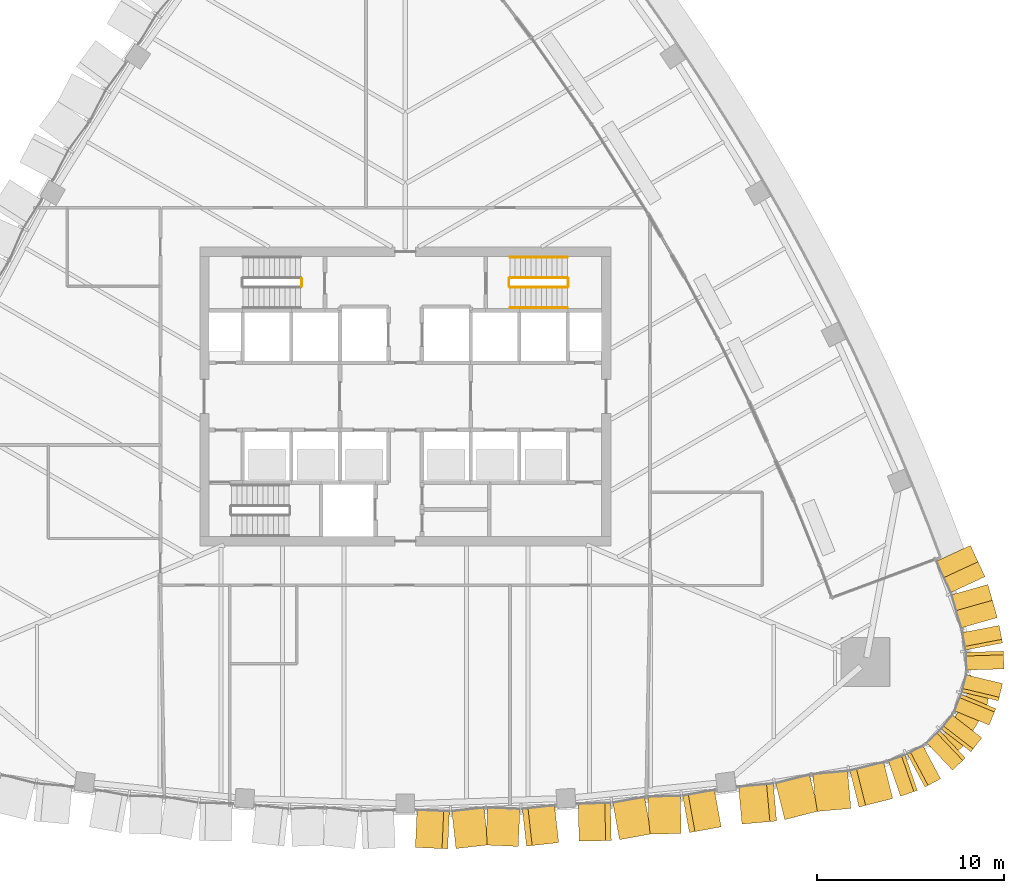
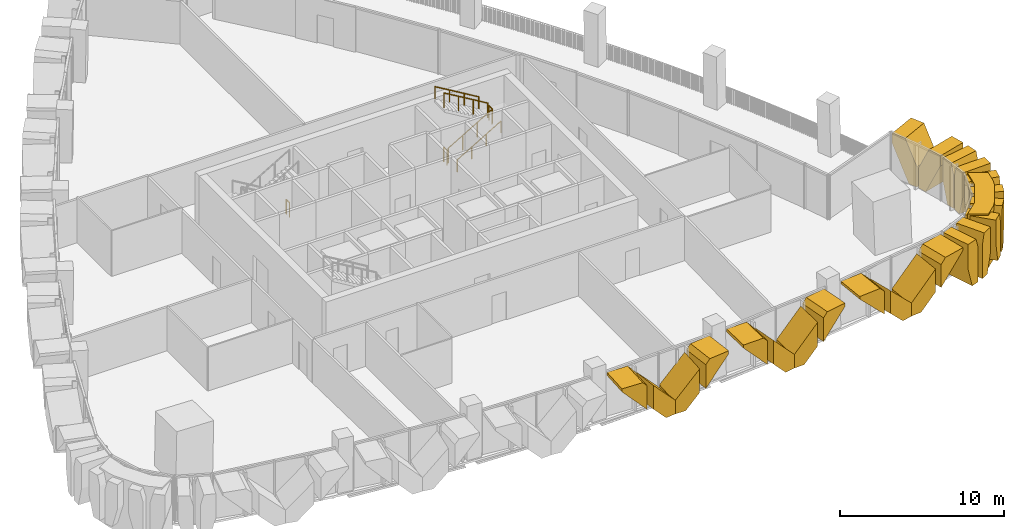
# One storey, part 19 of 22: 23 coverings, 7 railings.
"""IFC4 building model written with IfcOpenShell, lengths in metres."""

import ifcopenshell
import ifcopenshell.guid

model = None  # the IFC model being written
_history = None  # IfcOwnerHistory: only IFC2X3 demands one
_inside = {}  # id of a spatial element -> (the spatial element, [elements in it])
_under = {}  # id of a project, library or spatial element -> (it, [spatial elements below it])
_declared = {}  # id of a project -> (the project, [libraries it declares])
_typed = {}  # id of a type object -> (the type object, [elements of that type])
_made_of = {}  # id of a material, layer set ... -> (it, [elements and type objects made of it])


def new_model(schema):
    """Start an empty IFC model of exactly this schema.

    Asked for "IFC4X3", IfcOpenShell would pick the latest addendum, in which some entities
    have other attributes; the version numbers below select the first issue.
    IFC2X3 requires an IfcOwnerHistory on every rooted entity: one is made here for all.
    """
    global model, _history
    if schema == "IFC4X3":
        model = ifcopenshell.file(schema_version=(4, 3, 0, 0))
    else:
        model = ifcopenshell.file(schema=schema)
    _inside.clear()
    _under.clear()
    _declared.clear()
    _typed.clear()
    _made_of.clear()
    _history = None
    if model.schema == "IFC2X3":
        org = make("IfcOrganization", Name="unknown")
        user = make(
            "IfcPersonAndOrganization",
            ThePerson=make("IfcPerson", FamilyName="unknown"),
            TheOrganization=org,
        )
        app = make(
            "IfcApplication",
            ApplicationDeveloper=org,
            Version="unknown",
            ApplicationFullName="unknown",
            ApplicationIdentifier="unknown",
        )
        _history = make(
            "IfcOwnerHistory",
            OwningUser=user,
            OwningApplication=app,
            ChangeAction="ADDED",
            CreationDate=0,
        )
    return model


def make(cls, **values):
    """One entity of the class cls with the attributes given. An attribute that is None is left unset."""
    return model.create_entity(
        cls, **{name: value for name, value in values.items() if value is not None}
    )


def rooted(cls, **values):
    """An entity with a GlobalId (a new one), such as an element, a storey or a relation."""
    return make(cls, GlobalId=ifcopenshell.guid.new(), OwnerHistory=_history, **values)


def si_unit(unit_type, name, prefix=None):
    """IfcSIUnit, for example si_unit("LENGTHUNIT", "METRE", prefix="MILLI")."""
    return make("IfcSIUnit", UnitType=unit_type, Prefix=prefix, Name=name)


def assignment(units):
    """IfcUnitAssignment: the units of a project."""
    return None if units is None else make("IfcUnitAssignment", Units=units)


def point(xyz):
    """IfcCartesianPoint."""
    return None if xyz is None else make("IfcCartesianPoint", Coordinates=xyz)


def direction(xyz):
    """IfcDirection."""
    return None if xyz is None else make("IfcDirection", DirectionRatios=xyz)


def frame(location, z_axis=None, x_axis=None):
    """IfcAxis2Placement3D, a coordinate frame: its origin and axes. An axis left out is left unset."""
    return make(
        "IfcAxis2Placement3D",
        Location=point(location),
        Axis=direction(z_axis),
        RefDirection=direction(x_axis),
    )


def frame_2d(location, x_axis=None):
    """IfcAxis2Placement2D, a coordinate frame in the plane: its origin and x axis."""
    return make(
        "IfcAxis2Placement2D", Location=point(location), RefDirection=direction(x_axis)
    )


def origin():
    """The frame at (0, 0, 0) with its axes left unset."""
    return frame((0.0, 0.0, 0.0))


def origin_2d():
    """The frame at (0, 0) in the plane with its x axis left unset."""
    return frame_2d((0.0, 0.0))


def place(relative_to, where):
    """IfcLocalPlacement: puts the frame where relative to a parent placement (None: the world)."""
    return make(
        "IfcLocalPlacement", PlacementRelTo=relative_to, RelativePlacement=where
    )


def context(
    kind, dimensions, precision=None, world=None, true_north=None, identifier=None
):
    """IfcGeometricRepresentationContext, for example the 3D "Model" context."""
    return make(
        "IfcGeometricRepresentationContext",
        ContextIdentifier=identifier,
        ContextType=kind,
        CoordinateSpaceDimension=dimensions,
        Precision=precision,
        WorldCoordinateSystem=world,
        TrueNorth=true_north,
    )


def subcontext(parent, identifier, kind, view, scale=None):
    """IfcGeometricRepresentationSubContext, for example "Body" below "Model"."""
    return make(
        "IfcGeometricRepresentationSubContext",
        ContextIdentifier=identifier,
        ContextType=kind,
        ParentContext=parent,
        TargetScale=scale,
        TargetView=view,
    )


def project(units=None, contexts=None):
    """IfcProject with its units and contexts."""
    return rooted(
        "IfcProject",
        Name="project",
        RepresentationContexts=contexts,
        UnitsInContext=assignment(units),
    )


def spatial(cls, under=None, at=None, **own):
    """A site, building, storey or space (cls), placed at a placement, below another one or the project."""
    s = rooted(cls, ObjectPlacement=at, **own)
    if under is not None:
        _under.setdefault(under.id(), (under, []))[1].append(s)
    return s


def polyline(points):
    """IfcPolyline through the points."""
    return make("IfcPolyline", Points=[point(p) for p in points])


def profile(cls, at=None, kind="AREA", **sizes):
    """A parametric profile (cls). Its sizes go by their IFC names, for example OverallWidth=200.0."""
    return make(cls, ProfileType=kind, Position=at, **sizes)


def circle(**sizes):
    """IfcCircleProfileDef."""
    return profile("IfcCircleProfileDef", **sizes)


def outline(outer, holes=None, kind="AREA"):
    """IfcArbitraryClosedProfileDef: a profile drawn as a closed curve; with holes, ...WithVoids."""
    if holes is None:
        return make("IfcArbitraryClosedProfileDef", ProfileType=kind, OuterCurve=outer)
    return make(
        "IfcArbitraryProfileDefWithVoids",
        ProfileType=kind,
        OuterCurve=outer,
        InnerCurves=holes,
    )


def extrude(swept, where, along, depth):
    """IfcExtrudedAreaSolid: the profile swept, set in the frame where, extruded along a direction by depth."""
    return make(
        "IfcExtrudedAreaSolid",
        SweptArea=swept,
        Position=where,
        ExtrudedDirection=direction(along),
        Depth=depth,
    )


def shape(context_of_items, identifier, shape_type, items):
    """IfcShapeRepresentation: the items that make up one representation, for example the "Body"."""
    return make(
        "IfcShapeRepresentation",
        ContextOfItems=context_of_items,
        RepresentationIdentifier=identifier,
        RepresentationType=shape_type,
        Items=items,
    )


def material(Name=None, Category=None):
    """IfcMaterial."""
    return make("IfcMaterial", Name=Name, Category=Category)


def layer(
    of_material, thickness, ventilated=None, Name=None, Category=None, Priority=None
):
    """IfcMaterialLayer: one layer of a wall or slab, of a material (None: an air gap)."""
    return make(
        "IfcMaterialLayer",
        Material=of_material,
        LayerThickness=thickness,
        IsVentilated=ventilated,
        Name=Name,
        Category=Category,
        Priority=Priority,
    )


def layer_set(layers, Name=None):
    """IfcMaterialLayerSet."""
    return make("IfcMaterialLayerSet", MaterialLayers=layers, LayerSetName=Name)


def made_of(thing, what):
    """Note that an element or type object is made of a material, layer set ...; save() writes the relation."""
    if what is not None:
        _made_of.setdefault(what.id(), (what, []))[1].append(thing)
    return thing


def type_object(cls, material=None, **own):
    """A type object (cls), such as IfcWallType, which elements share."""
    return made_of(rooted(cls, **own), material)


def element(
    cls,
    number,
    at=None,
    inside=None,
    cuts=None,
    type_object=None,
    material=None,
    context=None,
    identifier="Body",
    shape_type=None,
    held_by="IfcProductDefinitionShape",
    body=None,
    shapes=None,
    **own,
):
    """One element of the class cls, such as IfcWall. Its Tag is "e" and its number.

    at: its placement. inside: the storey or other place that contains it. cuts: it is an
    opening in that element (IfcRelVoidsElement). A single representation is given by context,
    identifier, shape_type and body (its items); several are given by shapes. held_by: the class
    of the entity that holds the representations. save() writes the other relations.
    """
    e = rooted(cls, Tag="e%d" % number, ObjectPlacement=at, **own)
    if body is not None:
        shapes = [shape(context, identifier, shape_type, body)]
    if shapes is not None:
        e.Representation = make(held_by, Representations=shapes)
    if inside is not None:
        _inside.setdefault(inside.id(), (inside, []))[1].append(e)
    if cuts is not None:
        rooted(
            "IfcRelVoidsElement", RelatingBuildingElement=cuts, RelatedOpeningElement=e
        )
    if type_object is not None:
        _typed.setdefault(type_object.id(), (type_object, []))[1].append(e)
    return made_of(e, material)


def aggregate(whole, parts):
    """IfcRelAggregates: a whole, such as a stair, and the parts it consists of."""
    return rooted("IfcRelAggregates", RelatingObject=whole, RelatedObjects=parts)


def save(model, path):
    """Write the relations noted so far, then the file.

    IfcRelAggregates (storeys below a building ...), IfcRelContainedInSpatialStructure (elements
    in a storey), IfcRelDefinesByType, IfcRelAssociatesMaterial and IfcRelDeclares: one each for
    every whole, place, type object, material and project.
    """
    for whole, parts in _under.values():
        aggregate(whole, parts)
    for where, things in _inside.values():
        rooted(
            "IfcRelContainedInSpatialStructure",
            RelatedElements=things,
            RelatingStructure=where,
        )
    for kind, things in _typed.values():
        rooted("IfcRelDefinesByType", RelatedObjects=things, RelatingType=kind)
    for what, things in _made_of.values():
        rooted("IfcRelAssociatesMaterial", RelatedObjects=things, RelatingMaterial=what)
    for by, libraries in _declared.values():
        rooted("IfcRelDeclares", RelatingContext=by, RelatedDefinitions=libraries)
    model.write(path)


model = new_model("IFC4")

# Units and contexts
model_context = context("Model", 3, precision=1e-05, world=origin(), true_north=direction((0.0, 1.0)))
body_context = subcontext(model_context, "Body", "Model", "MODEL_VIEW")
ifc_project = project(units=[si_unit("LENGTHUNIT", "METRE"), si_unit("AREAUNIT", "SQUARE_METRE"), si_unit("VOLUMEUNIT", "CUBIC_METRE"), si_unit("PLANEANGLEUNIT", "RADIAN"), si_unit("MASSUNIT", "GRAM", prefix="KILO")], contexts=[model_context])

# Site, building, storey
site_placement = place(None, origin())
site = spatial("IfcSite", under=ifc_project, at=site_placement, CompositionType="ELEMENT")
building_placement = place(site_placement, origin())
building = spatial("IfcBuilding", under=site, at=building_placement, Name="Sierra Prisma Convention Tower", CompositionType="ELEMENT")
storey_placement = place(building_placement, frame((0.0, 0.0, 141.800048828125)))
storey = spatial("IfcBuildingStorey", under=building, at=storey_placement, Name="L30", CompositionType="ELEMENT", Elevation=141.800048828125)

# Coverings
ifc_material_1 = material(Name="Aluminium composite bronze anodised", Category="aluminium")
ifc_layer_1 = layer(ifc_material_1, 1.199951171875)
ifc_layer_set_1 = layer_set([ifc_layer_1], Name="Bronze corner pier")
covering_type_1 = type_object("IfcCoveringType", Name="Bronze corner pier", PredefinedType="CLADDING", material=ifc_layer_set_1)
covering_1_placement = place(storey_placement, frame((0.0, 0.0, -0.60009765625)))
element("IfcCovering", 1, at=covering_1_placement, inside=storey, type_object=covering_type_1, Name="Corner pier SE L30.1", PredefinedType="CLADDING", context=body_context, shape_type="SweptSolid", body=[
    extrude(outline(polyline([(31.017333984375, -16.80224609375), (30.059814453125, -18.460693359375), (29.8017578125, -18.771484375), (29.122314453125, -19.35400390625), (28.0205078125, -18.718017578125), (29.0205078125, -17.860595703125), (29.97802734375, -16.202392578125), (30.220703125, -14.907470703125), (31.322265625, -15.543701171875), (31.157470703125, -16.42333984375), (31.017333984375, -16.80224609375)])), origin(), (0.0, 0.0, 1.0), 4.0),
])
ifc_material_2 = material(Name="Aluminium 6063-T6 bronze anodised", Category="aluminium")
ifc_layer_2 = layer(ifc_material_2, 2.0)
ifc_layer_set_2 = layer_set([ifc_layer_2], Name="Bronze crystal chevron frame")
covering_type_2 = type_object("IfcCoveringType", Name="Bronze crystal chevron frame", PredefinedType="CLADDING", material=ifc_layer_set_2)
covering_2_placement = place(storey_placement, frame((0.53955078125, -24.134521484375, 3.280029296875), z_axis=(-0.044926464016, -0.998990296409, -2.2608598e-05), x_axis=(1.015724e-06, 2.258577e-05, -0.999999999744)))
element("IfcCovering", 2, at=covering_2_placement, inside=storey, type_object=covering_type_2, Name="CW-2 chevron frame S4.1.1", PredefinedType="CLADDING", context=body_context, shape_type="SweptSolid", body=[
    extrude(outline(polyline([(0.0, 0.0), (0.22607421869222122, 0.0), (2.091552734008423, 1.7336837662508067), (0.32861328133398515, 1.7336837662508067), (-1.0166817590356698e-09, 1.4282018930046483), (0.0, 0.0)])), origin(), (0.0, 0.0, -1.0), 2.0),
])
covering_3_placement = place(storey_placement, frame((2.714599609375, -24.197509765625, 2.8115234375), z_axis=(0.111835817419, -0.993726697567, 2.2009276e-05), x_axis=(2.461425e-06, -2.1871205e-05, -0.999999999758)))
element("IfcCovering", 3, at=covering_3_placement, inside=storey, type_object=covering_type_2, Name="CW-2 chevron frame S4.1.2", PredefinedType="CLADDING", context=body_context, shape_type="SweptSolid", body=[
    extrude(outline(polyline([(0.0, 0.0), (1.7629394526980087, 0.0), (2.811523438639234, 0.974364955587654), (2.8115234373269797, 1.733528617867343), (1.8654785156811162, 1.733528617867343), (0.0, 0.0)])), origin(), (0.0, 0.0, -1.0), 2.0),
])
covering_4_placement = place(storey_placement, frame((4.313232421875, -24.0078125, 0.0), z_axis=(-0.044942972063, -0.998989553844, 2.394253e-05), x_axis=(0.99898955413, -0.044942972076, -2.046e-09)))
element("IfcCovering", 4, at=covering_4_placement, inside=storey, type_object=covering_type_2, Name="CW-2 chevron frame S4.2.1", PredefinedType="CLADDING", context=body_context, shape_type="SweptSolid", body=[
    extrude(outline(polyline([(0.0, 0.0), (0.7590706960982925, 1.0587911840678754e-22), (1.7334398698120177, 1.0485839882218286), (1.7334398662053865, 2.811523440841531), (-1.9354239337758146e-09, 0.9460449216038425), (0.0, 0.0)])), origin(), (0.0, 0.0, -1.0), 2.0),
])
covering_5_placement = place(storey_placement, frame((8.210693359375, -23.876953125, 3.280029296875), z_axis=(0.111962646867, -0.993712415983, -5.249322e-06), x_axis=(-0.993712415997, -0.111962646869, 3.8e-11)))
element("IfcCovering", 5, at=covering_5_placement, inside=storey, type_object=covering_type_2, Name="CW-2 chevron frame S4.2.2", PredefinedType="CLADDING", context=body_context, shape_type="SweptSolid", body=[
    extrude(outline(polyline([(0.0, 0.0), (1.428170363253973, 0.0), (1.7335559354204668, 0.32861328132105516), (1.7335559353528116, 2.091552734421766), (-8.675915155104874e-12, 0.22607421874688524), (0.0, 0.0)])), origin(), (0.0, 0.0, -1.0), 2.0),
])
covering_6_placement = place(storey_placement, frame((9.30029296875, -23.80419921875, 3.280029296875), z_axis=(0.022057660092, -0.999756697272, -7.6752855e-05), x_axis=(-1.692988e-06, 7.6734181e-05, -0.999999997054)))
element("IfcCovering", 6, at=covering_6_placement, inside=storey, type_object=covering_type_2, Name="CW-2 chevron frame S5.1.1", PredefinedType="CLADDING", context=body_context, shape_type="SweptSolid", body=[
    extrude(outline(polyline([(0.0, 0.0), (0.22851562432690717, -4.839006583435212e-23), (2.093261714507214, 1.7255180270303836), (0.3264160165864585, 1.7255180270303836), (-1.1754675094615328e-08, 1.423682847354512), (0.0, 0.0)])), origin(), (0.0, 0.0, -1.0), 2.0),
])
covering_7_placement = place(storey_placement, frame((11.466552734375, -23.7216796875, 2.813232421875), z_axis=(0.178117474934, -0.984009228625, -5.5705518e-05), x_axis=(-9.922126e-06, 5.4814744e-05, -0.999999998448)))
element("IfcCovering", 7, at=covering_7_placement, inside=storey, type_object=covering_type_2, Name="CW-2 chevron frame S5.1.2", PredefinedType="CLADDING", context=body_context, shape_type="SweptSolid", body=[
    extrude(outline(polyline([(0.0, 0.0), (1.7670898410082676, 0.0), (2.8132324291823725, 0.9679074857903761), (2.8132324207564126, 1.7253540253340103), (1.8649902347276601, 1.7253540253340103), (0.0, 0.0)])), origin(), (0.0, 0.0, -1.0), 2.0),
])
covering_8_placement = place(storey_placement, frame((13.798095703125, -23.409912109375, 0.0), z_axis=(0.022096196196, -0.999755848467, -3.9628929e-05), x_axis=(0.678999525175, 0.014977876522, 0.733985904515)))
element("IfcCovering", 8, at=covering_8_placement, inside=storey, type_object=covering_type_2, Name="CW-2 chevron frame S5.2.1", PredefinedType="CLADDING", context=body_context, shape_type="SweptSolid", body=[
    extrude(outline(polyline([(0.0, 0.0), (1.4252897446042003, 1.1102230246251565e-16), (2.7223087819283527, 1.2001450444838844), (0.1815213018952233, 1.2000154199960176), (-0.5144750977962672, 0.5560027987228195), (0.0, 0.0)])), origin(), (0.0, 0.0, -1.0), 2.0),
])
covering_9_placement = place(storey_placement, frame((16.90478515625, -23.03662109375, 3.280029296875), z_axis=(0.178157307976, -0.984002018473, -3.5436356e-05), x_axis=(-0.984002019091, -0.178157308088, 1.76e-09)))
element("IfcCovering", 9, at=covering_9_placement, inside=storey, type_object=covering_type_2, Name="CW-2 chevron frame S5.2.2", PredefinedType="CLADDING", context=body_context, shape_type="SweptSolid", body=[
    extrude(outline(polyline([(0.0, 0.0), (1.4234191959539906, 0.0), (1.7253540257048166, 0.3264160188670878), (1.725354022594637, 2.093261720882743), (-4.0225619214563403e-10, 0.22851562485652246), (0.0, 0.0)])), origin(), (0.0, 0.0, -1.0), 2.0),
])
covering_10_placement = place(storey_placement, frame((18.01904296875, -22.8876953125, 3.280029296875), z_axis=(0.089015023815, -0.996030282695, -3.8592758e-05), x_axis=(-3.435335e-06, 3.8439556e-05, -0.999999999255)))
element("IfcCovering", 10, at=covering_10_placement, inside=storey, type_object=covering_type_2, Name="CW-2 chevron frame S6.1.1", PredefinedType="CLADDING", context=body_context, shape_type="SweptSolid", body=[
    extrude(outline(polyline([(0.0, 0.0), (0.1916503904822779, 0.0), (2.065917967752582, 1.862129703243557), (0.36328125027053576, 1.862129703243557), (-2.8213530987192077e-09, 1.5010695004469505), (0.0, 0.0)])), origin(), (0.0, 0.0, -1.0), 2.0),
])
covering_11_placement = place(storey_placement, frame((20.31103515625, -22.64794921875, 2.785888671875), z_axis=(0.243755330819, -0.969836758335, 2.9670571e-05), x_axis=(7.23236e-06, -2.8775611e-05, -0.99999999956)))
element("IfcCovering", 11, at=covering_11_placement, inside=storey, type_object=covering_type_2, Name="CW-2 chevron frame S6.1.2", PredefinedType="CLADDING", context=body_context, shape_type="SweptSolid", body=[
    extrude(outline(polyline([(0.0, 0.0), (1.7026367180005482, -1.4421893979862038e-21), (2.785888673903808, 1.076134123320375), (2.7858886716023648, 1.8620663244020512), (1.874267578253634, 1.8620663244020512), (0.0, 0.0)])), origin(), (0.0, 0.0, -1.0), 2.0),
])
covering_12_placement = place(storey_placement, frame((21.994384765625, -22.21484375, 0.0), z_axis=(0.088997571966, -0.996031842026, 4.3062094e-05), x_axis=(0.99603184295, 0.088997572048, -6.169e-09)))
element("IfcCovering", 12, at=covering_12_placement, inside=storey, type_object=covering_type_2, Name="CW-2 chevron frame S6.2.1", PredefinedType="CLADDING", context=body_context, shape_type="SweptSolid", body=[
    extrude(outline(polyline([(0.0, 0.0), (0.785823094263213, -8.470329472543003e-22), (1.862129696029503, 1.0832519656168162), (1.8621296855259577, 2.785888682788179), (-5.623779474474453e-09, 0.9116210929047703), (0.0, 0.0)])), origin(), (0.0, 0.0, -1.0), 2.0),
])
covering_13_placement = place(storey_placement, frame((26.09228515625, -21.521240234375, 3.280029296875), z_axis=(0.243746582465, -0.969838956607, -4.223801e-05), x_axis=(-0.969838957472, -0.243746582682, 2.251e-09)))
element("IfcCovering", 13, at=covering_13_placement, inside=storey, type_object=covering_type_2, Name="CW-2 chevron frame S6.2.2", PredefinedType="CLADDING", context=body_context, shape_type="SweptSolid", body=[
    extrude(outline(polyline([(0.0, 0.0), (1.5011049391717046, 3.3881317890172014e-21), (1.8620663237983448, 0.3632812545162057), (1.8620663199651257, 2.065917971747412), (-4.314707404887381e-10, 0.19165039045404314), (0.0, 0.0)])), origin(), (0.0, 0.0, -1.0), 2.0),
])
covering_14_placement = place(storey_placement, frame((26.5087890625, -21.396728515625, 3.280029296875), z_axis=(0.3278332667, -0.944735597324, -1.9843614e-05), x_axis=(-6.505397e-06, 1.8746969e-05, -0.999999999803)))
element("IfcCovering", 14, at=covering_14_placement, inside=storey, type_object=covering_type_2, Name="CW-2 chevron frame SE1.1.1", PredefinedType="CLADDING", context=body_context, shape_type="SweptSolid", body=[
    extrude(outline(polyline([(0.0, 0.0), (1.8164062496423778, 3.077111878697263e-21), (3.280029297130299, 0.39307588102156177), (3.280029296609346, 0.9494497071231347), (0.7250976564873723, 0.9494497071231347), (-1.2401225697174795e-09, 0.7545710556546741), (0.0, 0.0)])), origin(), (0.0, 0.0, -1.0), 2.0),
])
covering_15_placement = place(storey_placement, frame((27.81201171875, -20.907470703125, 0.0), z_axis=(0.471697011444, -0.881760698085, 2.6610033e-05), x_axis=(0.881760698397, 0.471697011611, -7.339e-09)))
element("IfcCovering", 15, at=covering_15_placement, inside=storey, type_object=covering_type_2, Name="CW-2 chevron frame SE1.1.2", PredefinedType="CLADDING", context=body_context, shape_type="SweptSolid", body=[
    extrude(outline(polyline([(0.0, 0.0), (0.5561669515501539, 0.0), (0.9491620970215039, 1.4636230544388336), (0.949162083690445, 3.2800293037957404), (0.19463763396872152, 3.2800292967460702), (-1.875128111864669e-08, 2.5549316397204342), (0.0, 0.0)])), origin(), (0.0, 0.0, -1.0), 2.0),
])
covering_16_placement = place(storey_placement, frame((29.286865234375, -20.000244140625, 3.280029296875), z_axis=(0.686876605478, -0.726774055702, -2.8389257e-05), x_axis=(-1.9499916e-05, 2.0632575e-05, -0.999999999597)))
element("IfcCovering", 16, at=covering_16_placement, inside=storey, type_object=covering_type_2, Name="CW-2 chevron frame SE2.1.1", PredefinedType="CLADDING", context=body_context, shape_type="SweptSolid", body=[
    extrude(outline(polyline([(0.0, 0.0), (1.816406249268034, 3.077111878697263e-21), (3.280029296707079, 0.3930691336617258), (3.2800292962478226, 0.949343480520425), (0.7250976566523959, 0.949343480520425), (-3.260413633729623e-09, 0.7547119965422822), (0.0, 0.0)])), origin(), (0.0, 0.0, -1.0), 2.0),
])
covering_17_placement = place(storey_placement, frame((30.274169921875, -19.019287109375, 0.0), z_axis=(0.792036903423, -0.610473212844, -4.13111e-06), x_axis=(0.610473212849, 0.792036903429, -3.28e-10)))
element("IfcCovering", 17, at=covering_17_placement, inside=storey, type_object=covering_type_2, Name="CW-2 chevron frame SE2.1.2", PredefinedType="CLADDING", context=body_context, shape_type="SweptSolid", body=[
    extrude(outline(polyline([(0.0, 0.0), (0.556346398867867, 0.0), (0.9493986982179063, 1.4636230472121567), (0.9493986976225012, 3.280029297196657), (0.19479193682149903, 3.2800292968129314), (-8.374886432837881e-10, 2.5549316406031983), (0.0, 0.0)])), origin(), (0.0, 0.0, -1.0), 2.0),
])
covering_18_placement = place(storey_placement, frame((31.246826171875, -17.58642578125, 3.280029296875), z_axis=(0.924609156016, -0.380917193903, -9.84292e-07), x_axis=(-9.10085e-07, 3.74934e-07, -1.0)))
element("IfcCovering", 18, at=covering_18_placement, inside=storey, type_object=covering_type_2, Name="CW-2 chevron frame SE3.1.1", PredefinedType="CLADDING", context=body_context, shape_type="SweptSolid", body=[
    extrude(outline(polyline([(0.0, 0.0), (1.8164062499991203, 0.0), (3.2800292969696025, 0.3931262873951955), (3.280029296885703, 0.9492451855587712), (0.7250976562619409, 0.9492451855587712), (9.524838514887369e-11, 0.7546075451948843), (0.0, 0.0)])), origin(), (0.0, 0.0, -1.0), 2.0),
])
covering_19_placement = place(storey_placement, frame((31.744384765625, -16.28662109375, 0.0), z_axis=(0.972842173098, -0.231469449796, 7.234972e-06), x_axis=(0.231469449803, 0.972842173124, -1.565e-09)))
element("IfcCovering", 19, at=covering_19_placement, inside=storey, type_object=covering_type_2, Name="CW-2 chevron frame SE3.1.2", PredefinedType="CLADDING", context=body_context, shape_type="SweptSolid", body=[
    extrude(outline(polyline([(0.0, 0.0), (0.5563981853786767, 0.0), (0.9493614346603126, 1.4636230484829054), (0.9493614318180742, 3.2800292984353656), (0.19476253748411798, 3.2800292964659565), (-3.997852866094806e-09, 2.5549316405581313), (0.0, 0.0)])), origin(), (0.0, 0.0, -1.0), 2.0),
])
covering_20_placement = place(storey_placement, frame((32.043212890625, -14.580810546875, 3.280029296875), z_axis=(0.999474560014, 0.032413020302, 5.19186e-07), x_axis=(5.18914e-07, 1.6828e-08, -1.0)))
element("IfcCovering", 20, at=covering_20_placement, inside=storey, type_object=covering_type_2, Name="CW-2 chevron frame SE4.1.1", PredefinedType="CLADDING", context=body_context, shape_type="SweptSolid", body=[
    extrude(outline(polyline([(0.0, 0.0), (1.816406249999755, 0.0), (3.2800292968973577, 0.39302735452099796), (3.2800292968774993, 0.9492290480400192), (0.7250976562528433, 0.9492290480400192), (2.235489044448974e-11, 0.7545454633576706), (0.0, 0.0)])), origin(), (0.0, 0.0, -1.0), 2.0),
])
covering_21_placement = place(storey_placement, frame((31.858642578125, -12.64501953125, 0.0), z_axis=(0.982127783939, 0.188215344135, -1.5700061e-05), x_axis=(-0.048823284293, 0.25484567444, 0.965748398461)))
element("IfcCovering", 21, at=covering_21_placement, inside=storey, type_object=covering_type_2, Name="CW-2 chevron frame SE4.1.2", PredefinedType="CLADDING", context=body_context, shape_type="SweptSolid", body=[
    extrude(outline(polyline([(0.0, 0.0), (1.5155324611520515, -5.551115123125783e-17), (3.2697238880442083, 0.47132165454587743), (3.0738921939382093, 1.2001790639830632), (2.3230632767423582, 1.2002336627410415), (-0.1443578633687193, 0.5372792118240242), (0.0, 0.0)])), origin(), (0.0, 0.0, -1.0), 2.0),
])
covering_22_placement = place(storey_placement, frame((31.68408203125, -11.8359375, 3.280029296875), z_axis=(0.961781128861, 0.27381938965, -4.4928932e-05), x_axis=(-4.3211799e-05, -1.2302413e-05, -0.999999998991)))
element("IfcCovering", 22, at=covering_22_placement, inside=storey, type_object=covering_type_2, Name="CW-2 chevron frame NE1.1.1", PredefinedType="CLADDING", context=body_context, shape_type="SweptSolid", body=[
    extrude(outline(polyline([(0.0, 0.0), (0.7602539054826724, 0.0), (3.280029297624671, 1.240806336278047), (3.280029297441661, 1.8444418962682687), (1.7897949239457611, 1.8444418962682687), (-4.617550745912729e-09, 0.9633018380937011), (0.0, 0.0)])), origin(), (0.0, 0.0, -1.0), 2.0),
])
covering_23_placement = place(storey_placement, frame((31.0244140625, -9.646240234375, 0.0), z_axis=(0.90708639882, 0.420944491055, -2.2935322e-05), x_axis=(-0.420944491166, 0.907086399059, -9.13e-10)))
element("IfcCovering", 23, at=covering_23_placement, inside=storey, type_object=covering_type_2, Name="CW-2 chevron frame NE1.1.2", PredefinedType="CLADDING", context=body_context, shape_type="SweptSolid", body=[
    extrude(outline(polyline([(0.0, 0.0), (0.6037104512676078, 0.0), (1.8444498450273203, 2.5197753927542874), (1.8444498443331268, 3.2800292988043296), (0.8811561377761792, 3.280029298541657), (-1.3607442489871646e-09, 1.4902343746080466), (0.0, 0.0)])), origin(), (0.0, 0.0, -1.0), 2.0),
])

# Railings
ifc_material_3 = material(Name="Stainless steel", Category="steel")
railing_type_1 = type_object("IfcRailingType", Name="Exit stair handrail", PredefinedType="HANDRAIL", material=ifc_material_3)
railing_1_placement = place(storey_placement, frame((5.60009765625, 4.75, 0.16650390625)))
element("IfcRailing", 24, at=railing_1_placement, inside=storey, type_object=railing_type_1, Name="L30 S4 stair handrail 1", PredefinedType="HANDRAIL", context=body_context, shape_type="SweptSolid", body=[
    extrude(circle(Radius=0.02392578125, at=origin_2d()), frame((0.0, 0.0, 0.8759765625), z_axis=(0.859260807169, 0.0, 0.511537745687), x_axis=(0.0, 1.0, 0.0)), (0.0, 0.0, 1.0), 3.584228515625),
    extrude(circle(Radius=0.02099609375, at=origin_2d()), origin(), (0.0, 0.0, 1.0), 0.851806640625),
    extrude(circle(Radius=0.02099609375, at=origin_2d()), frame((1.026611328125, 0.0, 0.611083984375)), (0.0, 0.0, 1.0), 0.851806640625),
    extrude(circle(Radius=0.02099609375, at=origin_2d()), frame((2.05322265625, 0.0, 1.222412109375)), (0.0, 0.0, 1.0), 0.851806640625),
    extrude(circle(Radius=0.02099609375, at=origin_2d()), frame((3.079833984375, 0.0, 1.83349609375)), (0.0, 0.0, 1.0), 0.851806640625),
])
railing_2_placement = place(storey_placement, frame((8.679931640625, 7.449951171875, 2.16650390625)))
element("IfcRailing", 25, at=railing_2_placement, inside=storey, type_object=railing_type_1, Name="L30 S4 stair handrail 2", PredefinedType="HANDRAIL", context=body_context, shape_type="SweptSolid", body=[
    extrude(circle(Radius=0.02392578125, at=origin_2d()), frame((0.0, 0.0, 0.8759765625), z_axis=(-0.859260807169, 0.0, 0.511537745687), x_axis=(0.0, -1.0, 0.0)), (0.0, 0.0, 1.0), 3.584228515625),
    extrude(circle(Radius=0.02099609375, at=origin_2d()), origin(), (0.0, 0.0, 1.0), 0.851806640625),
    extrude(circle(Radius=0.02099609375, at=origin_2d()), frame((-1.026611328125, 0.0, 0.611083984375)), (0.0, 0.0, 1.0), 0.851806640625),
    extrude(circle(Radius=0.02099609375, at=origin_2d()), frame((-2.05322265625, 0.0, 1.222412109375)), (0.0, 0.0, 1.0), 0.851806640625),
    extrude(circle(Radius=0.02099609375, at=origin_2d()), frame((-3.079833984375, 0.0, 1.83349609375)), (0.0, 0.0, 1.0), 0.851806640625),
])
ifc_material_4 = material(Name="Stainless steel", Category="steel")
railing_type_2 = type_object("IfcRailingType", Name="Stair guard 1100", PredefinedType="GUARDRAIL", material=ifc_material_4)
railing_3_placement = place(storey_placement, frame((-5.550048828125, 6.300048828125, 0.0)))
element("IfcRailing", 26, at=railing_3_placement, inside=storey, type_object=railing_type_2, Name="L30 S3 stair guard 4", PredefinedType="GUARDRAIL", context=body_context, shape_type="SweptSolid", body=[
    extrude(circle(Radius=0.02392578125, at=origin_2d()), frame((0.0, 0.0, 1.076171875), z_axis=(0.0, -1.0, 0.0), x_axis=(1.0, 0.0, 0.0)), (0.0, 0.0, 1.0), 0.400146484375),
    extrude(circle(Radius=0.02099609375, at=origin_2d()), origin(), (0.0, 0.0, 1.0), 1.052001953125),
    extrude(circle(Radius=0.02099609375, at=origin_2d()), frame((0.0, -0.400146484375, 0.0)), (0.0, 0.0, 1.0), 1.052001953125),
])
railing_4_placement = place(storey_placement, frame((5.60009765625, 5.85009765625, 0.16650390625)))
element("IfcRailing", 27, at=railing_4_placement, inside=storey, type_object=railing_type_2, Name="L30 S4 stair guard 1", PredefinedType="GUARDRAIL", context=body_context, shape_type="SweptSolid", body=[
    extrude(circle(Radius=0.02392578125, at=origin_2d()), frame((0.0, 0.0, 1.076171875), z_axis=(0.859260807169, 0.0, 0.511537745687), x_axis=(0.0, 1.0, 0.0)), (0.0, 0.0, 1.0), 3.584228515625),
    extrude(circle(Radius=0.02099609375, at=origin_2d()), origin(), (0.0, 0.0, 1.0), 1.052001953125),
    extrude(circle(Radius=0.02099609375, at=origin_2d()), frame((1.026611328125, 0.0, 0.611083984375)), (0.0, 0.0, 1.0), 1.052001953125),
    extrude(circle(Radius=0.02099609375, at=origin_2d()), frame((2.05322265625, 0.0, 1.222412109375)), (0.0, 0.0, 1.0), 1.052001953125),
    extrude(circle(Radius=0.02099609375, at=origin_2d()), frame((3.079833984375, 0.0, 1.83349609375)), (0.0, 0.0, 1.0), 1.052001953125),
])
railing_5_placement = place(storey_placement, frame((8.72998046875, 5.89990234375, 2.0)))
element("IfcRailing", 28, at=railing_5_placement, inside=storey, type_object=railing_type_2, Name="L30 S4 stair guard 2", PredefinedType="GUARDRAIL", context=body_context, shape_type="SweptSolid", body=[
    extrude(circle(Radius=0.02392578125, at=origin_2d()), frame((0.0, 0.0, 1.076171875), z_axis=(0.0, 1.0, 0.0), x_axis=(-1.0, 0.0, 0.0)), (0.0, 0.0, 1.0), 0.400146484375),
    extrude(circle(Radius=0.02099609375, at=origin_2d()), origin(), (0.0, 0.0, 1.0), 1.052001953125),
    extrude(circle(Radius=0.02099609375, at=origin_2d()), frame((0.0, 0.400146484375, 0.0)), (0.0, 0.0, 1.0), 1.052001953125),
])
railing_6_placement = place(storey_placement, frame((8.679931640625, 6.35009765625, 2.16650390625)))
element("IfcRailing", 29, at=railing_6_placement, inside=storey, type_object=railing_type_2, Name="L30 S4 stair guard 3", PredefinedType="GUARDRAIL", context=body_context, shape_type="SweptSolid", body=[
    extrude(circle(Radius=0.02392578125, at=origin_2d()), frame((0.0, 0.0, 1.076171875), z_axis=(-0.859260807169, 0.0, 0.511537745687), x_axis=(0.0, -1.0, 0.0)), (0.0, 0.0, 1.0), 3.584228515625),
    extrude(circle(Radius=0.02099609375, at=origin_2d()), origin(), (0.0, 0.0, 1.0), 1.052001953125),
    extrude(circle(Radius=0.02099609375, at=origin_2d()), frame((-1.026611328125, 0.0, 0.611083984375)), (0.0, 0.0, 1.0), 1.052001953125),
    extrude(circle(Radius=0.02099609375, at=origin_2d()), frame((-2.05322265625, 0.0, 1.222412109375)), (0.0, 0.0, 1.0), 1.052001953125),
    extrude(circle(Radius=0.02099609375, at=origin_2d()), frame((-3.079833984375, 0.0, 1.83349609375)), (0.0, 0.0, 1.0), 1.052001953125),
])
railing_7_placement = place(storey_placement, frame((5.550048828125, 5.89990234375, 0.0)))
element("IfcRailing", 30, at=railing_7_placement, inside=storey, type_object=railing_type_2, Name="L30 S4 stair guard 4", PredefinedType="GUARDRAIL", context=body_context, shape_type="SweptSolid", body=[
    extrude(circle(Radius=0.02392578125, at=origin_2d()), frame((0.0, 0.0, 1.076171875), z_axis=(0.0, 1.0, 0.0), x_axis=(-1.0, 0.0, 0.0)), (0.0, 0.0, 1.0), 0.400146484375),
    extrude(circle(Radius=0.02099609375, at=origin_2d()), origin(), (0.0, 0.0, 1.0), 1.052001953125),
    extrude(circle(Radius=0.02099609375, at=origin_2d()), frame((0.0, 0.400146484375, 0.0)), (0.0, 0.0, 1.0), 1.052001953125),
])

save(model, "model.ifc")
